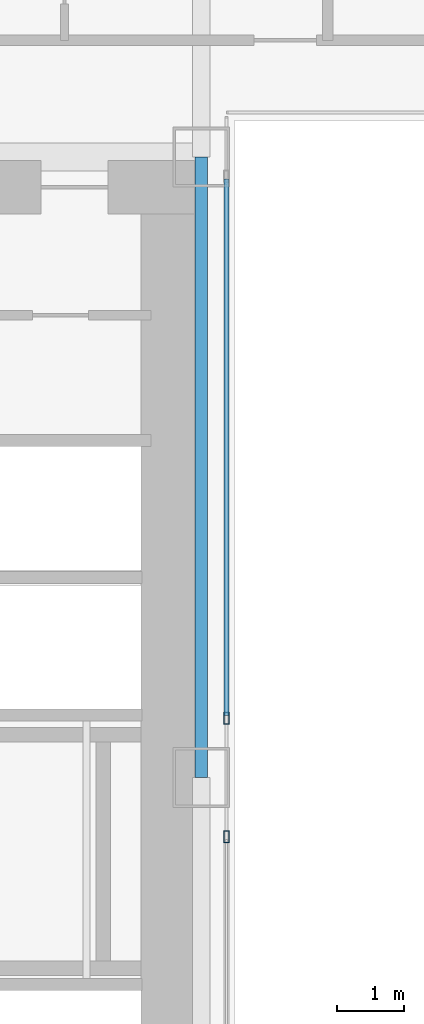
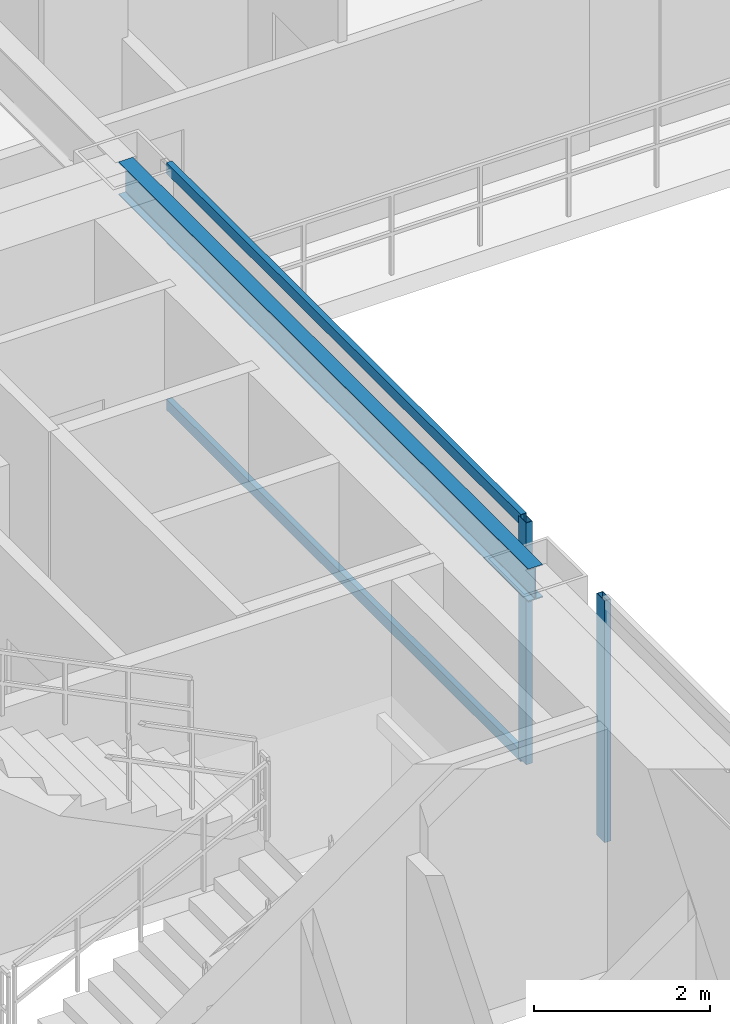
# One storey, part 10 of 41: 5 members, 1 beam, 2 elements without a shape of their own.
"""IFC4 building model written with IfcOpenShell, lengths in metres."""

from ifc_helpers import new_model, si_unit, direction, frame, origin, origin_2d, place, context, subcontext, project, spatial, hollow_rectangle, i_section, extrude, source, transform, mapped, material, layer, layer_set, material_profile, profile_set, type_object, element, aggregate, save


model = new_model("IFC4")

# Units and contexts
model_context = context("Model", 3, precision=1e-05, world=origin(), true_north=direction((0.0, 1.0)))
body_context = subcontext(model_context, "Body", "Model", "MODEL_VIEW")
ifc_project = project(units=[si_unit("LENGTHUNIT", "METRE"), si_unit("AREAUNIT", "SQUARE_METRE"), si_unit("VOLUMEUNIT", "CUBIC_METRE"), si_unit("PLANEANGLEUNIT", "RADIAN"), si_unit("MASSUNIT", "GRAM", prefix="KILO")], contexts=[model_context])

# Site, building, storey
site_placement = place(None, origin())
site = spatial("IfcSite", under=ifc_project, at=site_placement, CompositionType="ELEMENT")
building_placement = place(site_placement, origin())
building = spatial("IfcBuilding", under=site, at=building_placement, Name="Ocotamira Hotel", CompositionType="ELEMENT")
storey_placement = place(building_placement, frame((0.0, 0.0, 52.800048828125)))
storey = spatial("IfcBuildingStorey", under=building, at=storey_placement, Name="L12", CompositionType="ELEMENT", Elevation=52.800048828125)

# Beam
ifc_material_1 = material(Name="Steel ASTM A992 Grade 50", Category="steel")
ifc_material_profile_1 = material_profile(ifc_material_1, i_section(OverallWidth=0.18994140625, OverallDepth=0.45703125, WebThickness=0.009033203125, FlangeThickness=0.014404296875, FilletRadius=0.010009765625, at=origin_2d()), Name="W18X50")
ifc_profile_set_1 = profile_set([ifc_material_profile_1], Name="Steel ASTM A992 Grade 50")
beam_type = type_object("IfcBeamType", Name="BM-SEC-W18X50", PredefinedType="JOIST", material=ifc_profile_set_1)
shared_shape_1 = source(origin(), body_context, "Body", "SweptSolid", [
    extrude(i_section(OverallWidth=0.18994140625, OverallDepth=0.45703125, WebThickness=0.009033203125, FlangeThickness=0.014404296875, FilletRadius=0.010009765625, at=origin_2d()), origin(), (0.0, 0.0, 1.0), 9.300048828125),
])
beam_placement = place(storey_placement, frame((23.5, 28.14990234375, 3.121337890625), z_axis=(0.0, 1.0, 0.0), x_axis=(-1.0, 0.0, 0.0)))
element("IfcBeam", 1, at=beam_placement, inside=storey, type_object=beam_type, Name="L12 Beam X23.5 Y28.15-37.45", PredefinedType="JOIST", context=body_context, shape_type="MappedRepresentation", body=[
    mapped(shared_shape_1, transform((0.0, 0.0, 0.0), scale=1.0)),
])

# Curtain wall, member
ifc_material_2 = material(Name="Anodised pale-metal aluminium and solar glass", Category="aluminium")
ifc_layer = layer(ifc_material_2, 0.159912109375)
ifc_layer_set = layer_set([ifc_layer], Name="Anodised pale-metal aluminium and solar glass")
curtain_wall_type = type_object("IfcCurtainWallType", Name="CW-SYS6-ATR", PredefinedType="NOTDEFINED", material=ifc_layer_set)
curtain_wall_1_placement = place(storey_placement, origin())
curtain_wall_1 = element("IfcCurtainWall", 2, at=curtain_wall_1_placement, inside=storey, type_object=curtain_wall_type, Name="L12 Curtain Wall CW-6 CW-L12-ATRW1", PredefinedType="NOTDEFINED")
ifc_material_3 = material(Name="Anodised pale-metal aluminium 6063-T6", Category="aluminium")
ifc_material_profile_2 = material_profile(ifc_material_3, hollow_rectangle(XDim=0.080078125, YDim=0.179931640625, WallThickness=0.006103515625, at=origin_2d()), Name="HSS180X80X6")
ifc_profile_set_2 = profile_set([ifc_material_profile_2], Name="Anodised pale-metal aluminium 6063-T6")
member_type_1 = type_object("IfcMemberType", Name="CWM-180X75", PredefinedType="MULLION", material=ifc_profile_set_2)
shared_shape_2 = source(origin(), body_context, "Body", "SweptSolid", [
    extrude(hollow_rectangle(XDim=0.080078125, YDim=0.179931640625, WallThickness=0.006103515625, at=origin_2d()), origin(), (0.0, 0.0, 1.0), 3.349853515625),
])
member_1_placement = place(storey_placement, frame((23.8798828125, 27.260009765625, 0.0), z_axis=(0.0, 0.0, 1.0), x_axis=(-1.0, 0.0, 0.0)))
member_1 = element("IfcMember", 3, at=member_1_placement, type_object=member_type_1, Name="CW-6 mullion 3", PredefinedType="MULLION", context=body_context, shape_type="MappedRepresentation", body=[
    mapped(shared_shape_2, transform((0.0, 0.0, 0.0), scale=1.0)),
])
aggregate(curtain_wall_1, [member_1])

# Curtain wall, members
curtain_wall_2_placement = place(storey_placement, origin())
curtain_wall_2 = element("IfcCurtainWall", 4, at=curtain_wall_2_placement, inside=storey, type_object=curtain_wall_type, Name="L12 Curtain Wall CW-6 CW-L12-ATRW2", PredefinedType="NOTDEFINED")
member_2_placement = place(storey_placement, frame((23.8798828125, 29.0400390625, 0.0), z_axis=(0.0, 0.0, 1.0), x_axis=(-1.0, 0.0, 0.0)))
member_2 = element("IfcMember", 5, at=member_2_placement, type_object=member_type_1, Name="CW-6 mullion 1", PredefinedType="MULLION", context=body_context, shape_type="MappedRepresentation", body=[
    mapped(shared_shape_2, transform((0.0, 0.0, 0.0), scale=1.0)),
])
ifc_material_profile_3 = material_profile(ifc_material_3, hollow_rectangle(XDim=0.074951171875, YDim=0.14990234375, WallThickness=0.006103515625, at=origin_2d()), Name="HSS150X75X6")
ifc_profile_set_3 = profile_set([ifc_material_profile_3], Name="Anodised pale-metal aluminium 6063-T6")
member_type_2 = type_object("IfcMemberType", Name="CWT-150X75", PredefinedType="USERDEFINED", material=ifc_profile_set_3)
shared_shape_3 = source(origin(), body_context, "Body", "SweptSolid", [
    extrude(hollow_rectangle(XDim=0.074951171875, YDim=0.14990234375, WallThickness=0.006103515625, at=origin_2d()), origin(), (0.0, 0.0, 1.0), 8.0400390625),
])
member_3_placement = place(storey_placement, frame((23.8798828125, 29.080078125, 0.037353515625), z_axis=(0.0, 1.0, 0.0), x_axis=(-1.0, 0.0, 0.0)))
member_3 = element("IfcMember", 6, at=member_3_placement, type_object=member_type_2, Name="CW-6 transom 1.1", ObjectType="TRANSOM", PredefinedType="USERDEFINED", context=body_context, shape_type="MappedRepresentation", body=[
    mapped(shared_shape_3, transform((0.0, 0.0, 0.0), scale=1.0)),
])
member_4_placement = place(storey_placement, frame((23.8798828125, 29.080078125, 2.349853515625), z_axis=(0.0, 1.0, 0.0), x_axis=(-1.0, 0.0, 0.0)))
member_4 = element("IfcMember", 7, at=member_4_placement, type_object=member_type_2, Name="CW-6 transom 1.2", ObjectType="TRANSOM", PredefinedType="USERDEFINED", context=body_context, shape_type="MappedRepresentation", body=[
    mapped(shared_shape_3, transform((0.0, 0.0, 0.0), scale=1.0)),
])
member_5_placement = place(storey_placement, frame((23.8798828125, 29.080078125, 3.3125), z_axis=(0.0, 1.0, 0.0), x_axis=(-1.0, 0.0, 0.0)))
member_5 = element("IfcMember", 8, at=member_5_placement, type_object=member_type_2, Name="CW-6 transom 1.3", ObjectType="TRANSOM", PredefinedType="USERDEFINED", context=body_context, shape_type="MappedRepresentation", body=[
    mapped(shared_shape_3, transform((0.0, 0.0, 0.0), scale=1.0)),
])
aggregate(curtain_wall_2, [member_2, member_3, member_4, member_5])

save(model, "model.ifc")
